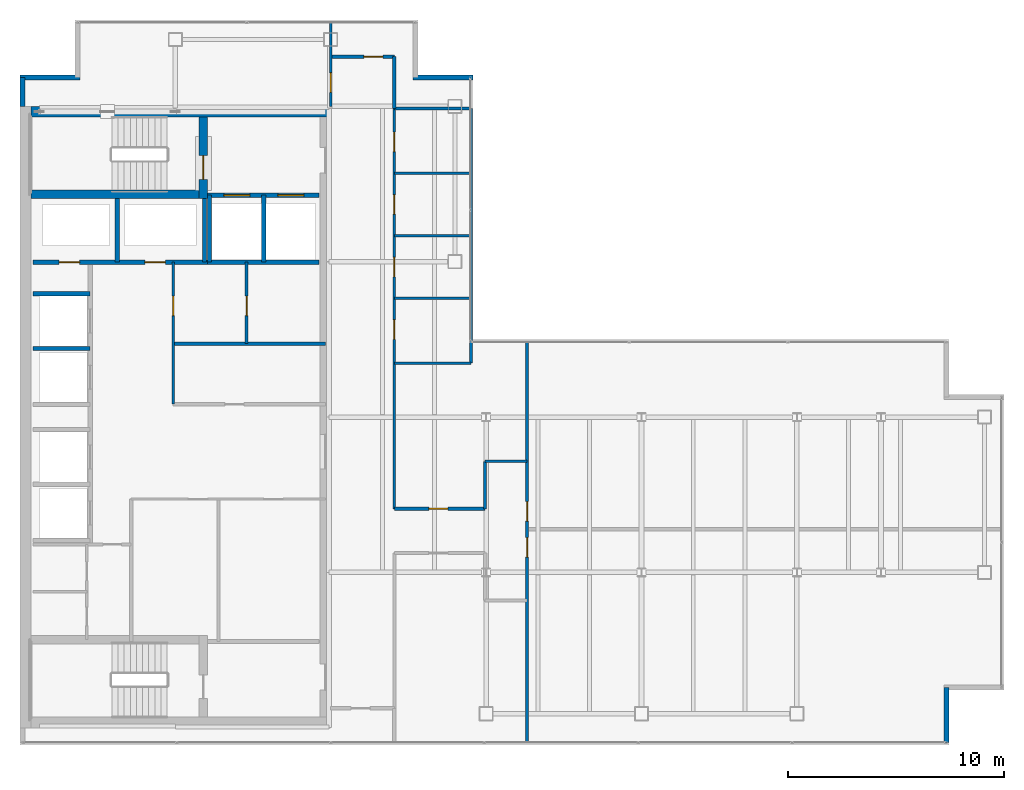
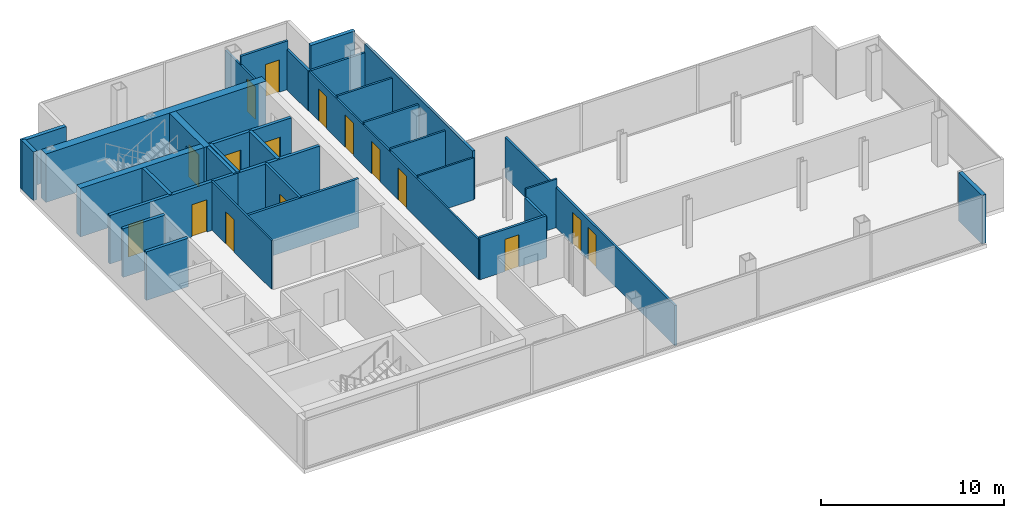
# One storey, part 21 of 23: 33 walls, 16 doors, 16 openings.
"""IFC4 building model written with IfcOpenShell, lengths in metres."""

from ifc_helpers import new_model, si_unit, direction, frame, frame_2d, origin, place, context, subcontext, project, spatial, rectangle, extrude, material, layer, layer_set, type_object, element, fill, save


model = new_model("IFC4")

# Units and contexts
model_context = context("Model", 3, precision=1e-05, world=origin(), true_north=direction((0.0, 1.0)))
body_context = subcontext(model_context, "Body", "Model", "MODEL_VIEW")
ifc_project = project(units=[si_unit("LENGTHUNIT", "METRE"), si_unit("AREAUNIT", "SQUARE_METRE"), si_unit("VOLUMEUNIT", "CUBIC_METRE"), si_unit("PLANEANGLEUNIT", "RADIAN"), si_unit("MASSUNIT", "GRAM", prefix="KILO")], contexts=[model_context])

# Site, building, storey
site_placement = place(None, origin())
site = spatial("IfcSite", under=ifc_project, at=site_placement, CompositionType="ELEMENT")
building_placement = place(site_placement, origin())
building = spatial("IfcBuilding", under=site, at=building_placement, Name="Cobrela Telecom Tower", CompositionType="ELEMENT")
storey_placement = place(building_placement, frame((0.0, 0.0, 255.14990234375)))
storey = spatial("IfcBuildingStorey", under=building, at=storey_placement, Name="L66", CompositionType="ELEMENT", Elevation=255.14990234375)

# Walls
ifc_material_1 = material(Name="Concrete C40/50", Category="concrete")
ifc_layer_1 = layer(ifc_material_1, 0.5)
ifc_layer_set_1 = layer_set([ifc_layer_1], Name="Concrete C40/50")
wall_type_1 = type_object("IfcWallType", Name="WALL-CORE-C40-500", PredefinedType="SHEAR", material=ifc_layer_set_1)
wall_1_placement = place(storey_placement, frame((0.5, 35.75, 0.0), z_axis=(0.0, 0.0, 1.0), x_axis=(1.0, 0.0, 0.0)))
element("IfcWall", 1, at=wall_1_placement, inside=storey, type_object=wall_type_1, Name="L66 North Core Shear Wall", PredefinedType="SHEAR", context=body_context, shape_type="SweptSolid", body=[
    extrude(rectangle(XDim=13.89990234375, YDim=0.5, at=frame_2d((6.949951171875, 0.0))), origin(), (0.0, 0.0, 1.0), 3.239990234375),
])
ifc_layer_2 = layer(ifc_material_1, 0.239990234375)
ifc_layer_set_2 = layer_set([ifc_layer_2], Name="Concrete C40/50")
wall_type_2 = type_object("IfcWallType", Name="WALL-EXT-300", PredefinedType="STANDARD", material=ifc_layer_set_2)
wall_2_placement = place(storey_placement, frame((0.1201171875, 36.0, 0.0), z_axis=(0.0, 0.0, 1.0), x_axis=(0.0, 1.0, 0.0)))
element("IfcWall", 2, at=wall_2_placement, inside=storey, type_object=wall_type_2, Name="L66 Insulated Facade Wall 02", PredefinedType="STANDARD", context=body_context, shape_type="SweptSolid", body=[
    extrude(rectangle(XDim=1.330078125, YDim=0.239990234375, at=frame_2d((0.6650390625, 0.0))), origin(), (0.0, 0.0, 1.0), 3.239990234375),
])
for number, where, z_axis, x_axis, name in (
    (3, (0.0, 37.330078125, 0.0), (0.0, 0.0, 1.0), (1.0, 0.0, 0.0), "L66 Insulated Facade Wall 03"),
    (4, (18.2099609375, 37.330078125, 0.0), (0.0, 0.0, 1.0), (1.0, 0.0, 0.0), "L66 Insulated Facade Wall 07"),
):
    element("IfcWall", number, at=place(storey_placement, frame(where, z_axis=z_axis, x_axis=x_axis)), inside=storey, type_object=wall_type_2, Name=name, PredefinedType="STANDARD", context=body_context, shape_type="SweptSolid", body=[
        extrude(rectangle(XDim=2.7900390625, YDim=0.239990234375, at=frame_2d((1.39501953125, 0.0))), origin(), (0.0, 0.0, 1.0), 3.239990234375),
    ])
wall_3_placement = place(storey_placement, frame((42.929931640625, 9.070068359375, 0.0), z_axis=(0.0, 0.0, 1.0), x_axis=(0.0, -1.0, 0.0)))
element("IfcWall", 5, at=wall_3_placement, inside=storey, type_object=wall_type_2, Name="L66 Insulated Facade Wall 14", PredefinedType="STANDARD", context=body_context, shape_type="SweptSolid", body=[
    extrude(rectangle(XDim=2.550048828125, YDim=0.239990234375, at=frame_2d((1.27490234375, 0.0))), origin(), (0.0, 0.0, 1.0), 3.239990234375),
])

# Wall, opening, door
ifc_material_2 = material(Name="Fire-Rated Gypsum Plasterboard")
ifc_layer_3 = layer(ifc_material_2, 0.110107421875)
ifc_layer_set_3 = layer_set([ifc_layer_3], Name="Fire-Rated Gypsum Plasterboard")
wall_type_3 = type_object("IfcWallType", Name="WALL-PART-110", PredefinedType="PARTITIONING", material=ifc_layer_set_3)
wall_4_placement = place(storey_placement, frame((7.10009765625, 22.199951171875, 0.0), z_axis=(0.0, 0.0, 1.0), x_axis=(0.0, 1.0, 0.0)))
wall_4 = element("IfcWall", 6, at=wall_4_placement, inside=storey, type_object=wall_type_3, Name="L66 Interior Partition CW-RECL-W", PredefinedType="PARTITIONING", context=body_context, shape_type="SweptSolid", body=[
    extrude(rectangle(XDim=6.580078125, YDim=0.110107421875, at=frame_2d((3.2900390625, 0.0))), origin(), (0.0, 0.0, 1.0), 3.239990234375),
])
opening_1_placement = place(wall_4_placement, frame((4.10009765625, 0.0, 0.0)))
opening_1 = element("IfcOpeningElement", 7, at=opening_1_placement, cuts=wall_4, Name="Opening DR-41", PredefinedType="OPENING", context=body_context, shape_type="SweptSolid", body=[
    extrude(rectangle(XDim=0.89990234375, YDim=2.14990234375, at=frame_2d((0.449951171875, 1.074951171875))), frame((0.0, 0.06689453125, 0.0), z_axis=(0.0, -1.0, 0.0), x_axis=(1.0, 0.0, 0.0)), (0.0, 0.0, 1.0), 0.134033203125),
])
ifc_material_3 = material(Name="Solid Engineered Oak Timber", Category="wood")
door_type_1 = type_object("IfcDoorType", Name="DOOR-INT-900", OperationType="SINGLE_SWING_LEFT", PredefinedType="DOOR", material=ifc_material_3)
door_1_placement = place(opening_1_placement, origin())
door_1 = element("IfcDoor", 8, at=door_1_placement, inside=storey, type_object=door_type_1, Name="L66 Door DR-41", OperationType="SINGLE_SWING_RIGHT", OverallHeight=2.14990234375, OverallWidth=0.89990234375, PredefinedType="DOOR", context=body_context, shape_type="SweptSolid", body=[
    extrude(rectangle(XDim=0.89990234375, YDim=2.14990234375, at=frame_2d((0.449951171875, 1.074951171875))), frame((0.0, 0.02490234375, 0.0), z_axis=(0.0, -1.0, 0.0), x_axis=(1.0, 0.0, 0.0)), (0.0, 0.0, 1.0), 0.050048828125),
])
fill(opening_1, door_1)

# Wall, openings, doors
wall_5_placement = place(storey_placement, frame((17.35009765625, 17.35009765625, 0.0), z_axis=(0.0, 0.0, 1.0), x_axis=(0.0, 1.0, 0.0)))
wall_5 = element("IfcWall", 9, at=wall_5_placement, inside=storey, type_object=wall_type_3, Name="L66 Interior Partition W-C-E2", PredefinedType="PARTITIONING", context=body_context, shape_type="SweptSolid", body=[
    extrude(rectangle(XDim=18.5498046875, YDim=0.110107421875, at=frame_2d((9.27490234375, 0.0))), origin(), (0.0, 0.0, 1.0), 2.676025390625),
])
opening_2_placement = place(wall_5_placement, frame((7.85009765625, 0.0, 0.0)))
opening_2 = element("IfcOpeningElement", 10, at=opening_2_placement, cuts=wall_5, Name="Opening DR-41", PredefinedType="OPENING", context=body_context, shape_type="SweptSolid", body=[
    extrude(rectangle(XDim=0.89990234375, YDim=2.14990234375, at=frame_2d((0.449951171875, 1.074951171875))), frame((0.0, 0.06689453125, 0.0), z_axis=(0.0, -1.0, 0.0), x_axis=(1.0, 0.0, 0.0)), (0.0, 0.0, 1.0), 0.134033203125),
])
opening_3_placement = place(wall_5_placement, frame((10.75, 0.0, 0.0)))
opening_3 = element("IfcOpeningElement", 11, at=opening_3_placement, cuts=wall_5, Name="Opening DR-41", PredefinedType="OPENING", context=body_context, shape_type="SweptSolid", body=[
    extrude(rectangle(XDim=0.89990234375, YDim=2.14990234375, at=frame_2d((0.449951171875, 1.074951171875))), frame((0.0, 0.06689453125, 0.0), z_axis=(0.0, -1.0, 0.0), x_axis=(1.0, 0.0, 0.0)), (0.0, 0.0, 1.0), 0.134033203125),
])
opening_4_placement = place(wall_5_placement, frame((13.64990234375, 0.0, 0.0)))
opening_4 = element("IfcOpeningElement", 12, at=opening_4_placement, cuts=wall_5, Name="Opening DR-41", PredefinedType="OPENING", context=body_context, shape_type="SweptSolid", body=[
    extrude(rectangle(XDim=0.89990234375, YDim=2.14990234375, at=frame_2d((0.449951171875, 1.074951171875))), frame((0.0, 0.06689453125, 0.0), z_axis=(0.0, -1.0, 0.0), x_axis=(1.0, 0.0, 0.0)), (0.0, 0.0, 1.0), 0.134033203125),
])
opening_5_placement = place(wall_5_placement, frame((16.550048828125, 0.0, 0.0)))
opening_5 = element("IfcOpeningElement", 13, at=opening_5_placement, cuts=wall_5, Name="Opening DR-41", PredefinedType="OPENING", context=body_context, shape_type="SweptSolid", body=[
    extrude(rectangle(XDim=0.89990234375, YDim=2.14990234375, at=frame_2d((0.449951171875, 1.074951171875))), frame((0.0, 0.06689453125, 0.0), z_axis=(0.0, -1.0, 0.0), x_axis=(1.0, 0.0, 0.0)), (0.0, 0.0, 1.0), 0.134033203125),
])
door_2_placement = place(opening_2_placement, origin())
door_2 = element("IfcDoor", 14, at=door_2_placement, inside=storey, type_object=door_type_1, Name="L66 Door DR-41", OperationType="SINGLE_SWING_LEFT", OverallHeight=2.14990234375, OverallWidth=0.89990234375, PredefinedType="DOOR", context=body_context, shape_type="SweptSolid", body=[
    extrude(rectangle(XDim=0.89990234375, YDim=2.14990234375, at=frame_2d((0.449951171875, 1.074951171875))), frame((0.0, 0.02490234375, 0.0), z_axis=(0.0, -1.0, 0.0), x_axis=(1.0, 0.0, 0.0)), (0.0, 0.0, 1.0), 0.050048828125),
])
fill(opening_2, door_2)
door_3_placement = place(opening_3_placement, origin())
door_3 = element("IfcDoor", 15, at=door_3_placement, inside=storey, type_object=door_type_1, Name="L66 Door DR-41", OperationType="SINGLE_SWING_RIGHT", OverallHeight=2.14990234375, OverallWidth=0.89990234375, PredefinedType="DOOR", context=body_context, shape_type="SweptSolid", body=[
    extrude(rectangle(XDim=0.89990234375, YDim=2.14990234375, at=frame_2d((0.449951171875, 1.074951171875))), frame((0.0, 0.02490234375, 0.0), z_axis=(0.0, -1.0, 0.0), x_axis=(1.0, 0.0, 0.0)), (0.0, 0.0, 1.0), 0.050048828125),
])
fill(opening_3, door_3)
door_4_placement = place(opening_4_placement, origin())
door_4 = element("IfcDoor", 16, at=door_4_placement, inside=storey, type_object=door_type_1, Name="L66 Door DR-41", OperationType="SINGLE_SWING_LEFT", OverallHeight=2.14990234375, OverallWidth=0.89990234375, PredefinedType="DOOR", context=body_context, shape_type="SweptSolid", body=[
    extrude(rectangle(XDim=0.89990234375, YDim=2.14990234375, at=frame_2d((0.449951171875, 1.074951171875))), frame((0.0, 0.02490234375, 0.0), z_axis=(0.0, -1.0, 0.0), x_axis=(1.0, 0.0, 0.0)), (0.0, 0.0, 1.0), 0.050048828125),
])
fill(opening_4, door_4)
door_5_placement = place(opening_5_placement, origin())
door_5 = element("IfcDoor", 17, at=door_5_placement, inside=storey, type_object=door_type_1, Name="L66 Door DR-41", OperationType="SINGLE_SWING_RIGHT", OverallHeight=2.14990234375, OverallWidth=0.89990234375, PredefinedType="DOOR", context=body_context, shape_type="SweptSolid", body=[
    extrude(rectangle(XDim=0.89990234375, YDim=2.14990234375, at=frame_2d((0.449951171875, 1.074951171875))), frame((0.0, 0.02490234375, 0.0), z_axis=(0.0, -1.0, 0.0), x_axis=(1.0, 0.0, 0.0)), (0.0, 0.0, 1.0), 0.050048828125),
])
fill(opening_5, door_5)

# Wall
wall_6_placement = place(storey_placement, frame((21.550048828125, 19.550048828125, 0.0), z_axis=(0.0, 0.0, 1.0), x_axis=(1.0, 0.0, 0.0)))
element("IfcWall", 18, at=wall_6_placement, inside=storey, type_object=wall_type_3, Name="L66 Interior Partition W-CT-N", PredefinedType="PARTITIONING", context=body_context, shape_type="SweptSolid", body=[
    extrude(rectangle(XDim=1.949951171875, YDim=0.110107421875, at=frame_2d((0.97509765625, 0.0))), origin(), (0.0, 0.0, 1.0), 3.239990234375),
])

# Wall, opening, door
wall_7_placement = place(storey_placement, frame((14.39990234375, 36.0, 0.0), z_axis=(0.0, 0.0, 1.0), x_axis=(0.0, 1.0, 0.0)))
wall_7 = element("IfcWall", 19, at=wall_7_placement, inside=storey, type_object=wall_type_3, Name="L66 Interior Partition W-CN-W", PredefinedType="PARTITIONING", context=body_context, shape_type="SweptSolid", body=[
    extrude(rectangle(XDim=3.8798828125, YDim=0.110107421875, at=frame_2d((1.93994140625, 0.0))), origin(), (0.0, 0.0, 1.0), 2.676025390625),
])
opening_6_placement = place(wall_7_placement, frame((0.64990234375, 0.0, 0.0)))
opening_6 = element("IfcOpeningElement", 20, at=opening_6_placement, cuts=wall_7, Name="Opening DR-41", PredefinedType="OPENING", context=body_context, shape_type="SweptSolid", body=[
    extrude(rectangle(XDim=0.89990234375, YDim=2.14990234375, at=frame_2d((0.449951171875, 1.074951171875))), frame((0.0, 0.06689453125, 0.0), z_axis=(0.0, -1.0, 0.0), x_axis=(1.0, 0.0, 0.0)), (0.0, 0.0, 1.0), 0.134033203125),
])
door_6_placement = place(opening_6_placement, origin())
door_6 = element("IfcDoor", 21, at=door_6_placement, inside=storey, type_object=door_type_1, Name="L66 Door DR-41", OperationType="SINGLE_SWING_LEFT", OverallHeight=2.14990234375, OverallWidth=0.89990234375, PredefinedType="DOOR", context=body_context, shape_type="SweptSolid", body=[
    extrude(rectangle(XDim=0.89990234375, YDim=2.14990234375, at=frame_2d((0.449951171875, 1.074951171875))), frame((0.0, 0.02490234375, 0.0), z_axis=(0.0, -1.0, 0.0), x_axis=(1.0, 0.0, 0.0)), (0.0, 0.0, 1.0), 0.050048828125),
])
fill(opening_6, door_6)

# Walls
wall_8_placement = place(storey_placement, frame((17.35009765625, 24.10009765625, 0.0), z_axis=(0.0, 0.0, 1.0), x_axis=(1.0, 0.0, 0.0)))
element("IfcWall", 22, at=wall_8_placement, inside=storey, type_object=wall_type_3, Name="L66 Interior Partition W-WC-S", PredefinedType="PARTITIONING", context=body_context, shape_type="SweptSolid", body=[
    extrude(rectangle(XDim=3.5498046875, YDim=0.110107421875, at=frame_2d((1.77490234375, 0.0))), origin(), (0.0, 0.0, 1.0), 2.80810546875),
])
ifc_layer_4 = layer(ifc_material_2, 0.125)
ifc_layer_set_4 = layer_set([ifc_layer_4], Name="Fire-Rated Gypsum Plasterboard")
wall_type_4 = type_object("IfcWallType", Name="WALL-PART-125", PredefinedType="PARTITIONING", material=ifc_layer_set_4)
for number, where, z_axis, x_axis, name in (
    (23, (17.35009765625, 27.10009765625, 0.0), (0.0, 0.0, 1.0), (1.0, 0.0, 0.0), "L66 Interior Partition W-WCD-1"),
    (24, (17.35009765625, 30.0, 0.0), (0.0, 0.0, 1.0), (1.0, 0.0, 0.0), "L66 Interior Partition W-WCD-2"),
    (25, (17.35009765625, 32.89990234375, 0.0), (0.0, 0.0, 1.0), (1.0, 0.0, 0.0), "L66 Interior Partition W-WCD-3"),
):
    element("IfcWall", number, at=place(storey_placement, frame(where, z_axis=z_axis, x_axis=x_axis)), inside=storey, type_object=wall_type_4, Name=name, PredefinedType="PARTITIONING", context=body_context, shape_type="SweptSolid", body=[
        extrude(rectangle(XDim=3.5498046875, YDim=0.125, at=frame_2d((1.77490234375, 0.0))), origin(), (0.0, 0.0, 1.0), 2.80810546875),
    ])

# Wall, opening, door
ifc_layer_5 = layer(ifc_material_2, 0.135009765625)
ifc_layer_set_5 = layer_set([ifc_layer_5], Name="Fire-Rated Gypsum Plasterboard")
wall_type_5 = type_object("IfcWallType", Name="WALL-PART-135", PredefinedType="PARTITIONING", material=ifc_layer_set_5)
wall_9_placement = place(storey_placement, frame((10.5, 25.0, 0.0), z_axis=(0.0, 0.0, 1.0), x_axis=(0.0, 1.0, 0.0)))
wall_9 = element("IfcWall", 26, at=wall_9_placement, inside=storey, type_object=wall_type_5, Name="L66 Interior Partition CW-RECL-VN", PredefinedType="PARTITIONING", context=body_context, shape_type="SweptSolid", body=[
    extrude(rectangle(XDim=3.780029296875, YDim=0.135009765625, at=frame_2d((1.89013671875, 0.0))), origin(), (0.0, 0.0, 1.0), 3.239990234375),
])
opening_7_placement = place(wall_9_placement, frame((1.300048828125, 0.0, 0.0)))
opening_7 = element("IfcOpeningElement", 27, at=opening_7_placement, cuts=wall_9, Name="Opening DR-41", PredefinedType="OPENING", context=body_context, shape_type="SweptSolid", body=[
    extrude(rectangle(XDim=0.89990234375, YDim=2.14990234375, at=frame_2d((0.449951171875, 1.074951171875))), frame((0.0, 0.07958984375, 0.0), z_axis=(0.0, -1.0, 0.0), x_axis=(1.0, 0.0, 0.0)), (0.0, 0.0, 1.0), 0.158935546875),
])
door_7_placement = place(opening_7_placement, origin())
door_7 = element("IfcDoor", 28, at=door_7_placement, inside=storey, type_object=door_type_1, Name="L66 Door DR-41", OperationType="SINGLE_SWING_LEFT", OverallHeight=2.14990234375, OverallWidth=0.89990234375, PredefinedType="DOOR", context=body_context, shape_type="SweptSolid", body=[
    extrude(rectangle(XDim=0.89990234375, YDim=2.14990234375, at=frame_2d((0.449951171875, 1.074951171875))), frame((0.0, 0.02490234375, 0.0), z_axis=(0.0, -1.0, 0.0), x_axis=(1.0, 0.0, 0.0)), (0.0, 0.0, 1.0), 0.050048828125),
])
fill(opening_7, door_7)

# Wall, openings, doors
wall_10_placement = place(storey_placement, frame((23.5, 6.52001953125, 0.0), z_axis=(0.0, 0.0, 1.0), x_axis=(0.0, 1.0, 0.0)))
wall_10 = element("IfcWall", 29, at=wall_10_placement, inside=storey, type_object=wall_type_5, Name="L66 Interior Partition W-C-END", PredefinedType="PARTITIONING", context=body_context, shape_type="SweptSolid", body=[
    extrude(rectangle(XDim=18.56005859375, YDim=0.135009765625, at=frame_2d((9.280029296875, 0.0))), origin(), (0.0, 0.0, 1.0), 2.676025390625),
])
opening_8_placement = place(wall_10_placement, frame((8.590087890625, 0.0, 0.0)))
opening_8 = element("IfcOpeningElement", 30, at=opening_8_placement, cuts=wall_10, Name="Opening DR-41", PredefinedType="OPENING", context=body_context, shape_type="SweptSolid", body=[
    extrude(rectangle(XDim=0.89990234375, YDim=2.14990234375, at=frame_2d((0.449951171875, 1.074951171875))), frame((0.0, 0.07958984375, 0.0), z_axis=(0.0, -1.0, 0.0), x_axis=(1.0, 0.0, 0.0)), (0.0, 0.0, 1.0), 0.158935546875),
])
opening_9_placement = place(wall_10_placement, frame((10.260009765625, 0.0, 0.0)))
opening_9 = element("IfcOpeningElement", 31, at=opening_9_placement, cuts=wall_10, Name="Opening DR-41", PredefinedType="OPENING", context=body_context, shape_type="SweptSolid", body=[
    extrude(rectangle(XDim=0.89990234375, YDim=2.14990234375, at=frame_2d((0.449951171875, 1.074951171875))), frame((0.0, 0.07958984375, 0.0), z_axis=(0.0, -1.0, 0.0), x_axis=(1.0, 0.0, 0.0)), (0.0, 0.0, 1.0), 0.158935546875),
])
door_8_placement = place(opening_8_placement, origin())
door_8 = element("IfcDoor", 32, at=door_8_placement, inside=storey, type_object=door_type_1, Name="L66 Door DR-41", OperationType="SINGLE_SWING_LEFT", OverallHeight=2.14990234375, OverallWidth=0.89990234375, PredefinedType="DOOR", context=body_context, shape_type="SweptSolid", body=[
    extrude(rectangle(XDim=0.89990234375, YDim=2.14990234375, at=frame_2d((0.449951171875, 1.074951171875))), frame((0.0, 0.02490234375, 0.0), z_axis=(0.0, -1.0, 0.0), x_axis=(1.0, 0.0, 0.0)), (0.0, 0.0, 1.0), 0.050048828125),
])
fill(opening_8, door_8)
door_9_placement = place(opening_9_placement, origin())
door_9 = element("IfcDoor", 33, at=door_9_placement, inside=storey, type_object=door_type_1, Name="L66 Door DR-41", OperationType="SINGLE_SWING_RIGHT", OverallHeight=2.14990234375, OverallWidth=0.89990234375, PredefinedType="DOOR", context=body_context, shape_type="SweptSolid", body=[
    extrude(rectangle(XDim=0.89990234375, YDim=2.14990234375, at=frame_2d((0.449951171875, 1.074951171875))), frame((0.0, 0.02490234375, 0.0), z_axis=(0.0, -1.0, 0.0), x_axis=(1.0, 0.0, 0.0)), (0.0, 0.0, 1.0), 0.050048828125),
])
fill(opening_9, door_9)

# Walls
wall_11_placement = place(storey_placement, frame((17.35009765625, 35.89990234375, 0.0), z_axis=(0.0, 0.0, 1.0), x_axis=(1.0, 0.0, 0.0)))
element("IfcWall", 34, at=wall_11_placement, inside=storey, type_object=wall_type_5, Name="L66 Interior Partition W-NW2-S", PredefinedType="PARTITIONING", context=body_context, shape_type="SweptSolid", body=[
    extrude(rectangle(XDim=3.52978515625, YDim=0.135009765625, at=frame_2d((1.764892578125, 0.0))), origin(), (0.0, 0.0, 1.0), 2.676025390625),
])
ifc_layer_6 = layer(ifc_material_2, 0.14990234375)
ifc_layer_set_6 = layer_set([ifc_layer_6], Name="Fire-Rated Gypsum Plasterboard")
wall_type_6 = type_object("IfcWallType", Name="WALL-PART-150", PredefinedType="PARTITIONING", material=ifc_layer_set_6)
wall_12_placement = place(storey_placement, frame((7.10009765625, 25.0, 0.0), z_axis=(0.0, 0.0, 1.0), x_axis=(1.0, 0.0, 0.0)))
element("IfcWall", 35, at=wall_12_placement, inside=storey, type_object=wall_type_6, Name="L66 Interior Partition CW-RECL-H", PredefinedType="PARTITIONING", context=body_context, shape_type="SweptSolid", body=[
    extrude(rectangle(XDim=7.0498046875, YDim=0.14990234375, at=frame_2d((3.52490234375, 0.0))), origin(), (0.0, 0.0, 1.0), 3.239990234375),
])

# Wall, opening, door
wall_13_placement = place(storey_placement, frame((17.35009765625, 17.35009765625, 0.0), z_axis=(0.0, 0.0, 1.0), x_axis=(1.0, 0.0, 0.0)))
wall_13 = element("IfcWall", 36, at=wall_13_placement, inside=storey, type_object=wall_type_6, Name="L66 Interior Partition W-C-HN", PredefinedType="PARTITIONING", context=body_context, shape_type="SweptSolid", body=[
    extrude(rectangle(XDim=4.199951171875, YDim=0.14990234375, at=frame_2d((2.10009765625, 0.0))), origin(), (0.0, 0.0, 1.0), 2.80810546875),
])
opening_10_placement = place(wall_13_placement, frame((1.60009765625, 0.0, 0.0)))
opening_10 = element("IfcOpeningElement", 37, at=opening_10_placement, cuts=wall_13, Name="Opening DR-39", PredefinedType="OPENING", context=body_context, shape_type="SweptSolid", body=[
    extrude(rectangle(XDim=0.8798828125, YDim=2.14990234375, at=frame_2d((0.43994140625, 1.074951171875))), frame((0.0, 0.0869140625, 0.0), z_axis=(0.0, -1.0, 0.0), x_axis=(1.0, 0.0, 0.0)), (0.0, 0.0, 1.0), 0.173828125),
])
door_type_2 = type_object("IfcDoorType", Name="DOOR-INT-880", OperationType="SINGLE_SWING_LEFT", PredefinedType="DOOR", material=ifc_material_3)
door_10_placement = place(opening_10_placement, origin())
door_10 = element("IfcDoor", 38, at=door_10_placement, inside=storey, type_object=door_type_2, Name="L66 Door DR-39", OperationType="SINGLE_SWING_LEFT", OverallHeight=2.14990234375, OverallWidth=0.8798828125, PredefinedType="DOOR", context=body_context, shape_type="SweptSolid", body=[
    extrude(rectangle(XDim=0.8798828125, YDim=2.14990234375, at=frame_2d((0.43994140625, 1.074951171875))), frame((0.0, 0.02490234375, 0.0), z_axis=(0.0, -1.0, 0.0), x_axis=(1.0, 0.0, 0.0)), (0.0, 0.0, 1.0), 0.050048828125),
])
fill(opening_10, door_10)

# Wall
wall_14_placement = place(storey_placement, frame((21.550048828125, 17.35009765625, 0.0), z_axis=(0.0, 0.0, 1.0), x_axis=(0.0, 1.0, 0.0)))
element("IfcWall", 39, at=wall_14_placement, inside=storey, type_object=wall_type_6, Name="L66 Interior Partition W-CT-JW2", PredefinedType="PARTITIONING", context=body_context, shape_type="SweptSolid", body=[
    extrude(rectangle(XDim=2.199951171875, YDim=0.14990234375, at=frame_2d((1.10009765625, 0.0))), origin(), (0.0, 0.0, 1.0), 2.676025390625),
])

# Wall, opening, door
wall_15_placement = place(storey_placement, frame((14.39990234375, 38.300048828125, 0.0), z_axis=(0.0, 0.0, 1.0), x_axis=(1.0, 0.0, 0.0)))
wall_15 = element("IfcWall", 40, at=wall_15_placement, inside=storey, type_object=wall_type_6, Name="L66 Interior Partition W-CN-T", PredefinedType="PARTITIONING", context=body_context, shape_type="SweptSolid", body=[
    extrude(rectangle(XDim=2.9501953125, YDim=0.14990234375, at=frame_2d((1.47509765625, 0.0))), origin(), (0.0, 0.0, 1.0), 3.239990234375),
])
opening_11_placement = place(wall_15_placement, frame((1.5400390625, 0.0, 0.0)))
opening_11 = element("IfcOpeningElement", 41, at=opening_11_placement, cuts=wall_15, Name="Opening DR-39", PredefinedType="OPENING", context=body_context, shape_type="SweptSolid", body=[
    extrude(rectangle(XDim=0.8798828125, YDim=2.14990234375, at=frame_2d((0.43994140625, 1.074951171875))), frame((0.0, 0.0869140625, 0.0), z_axis=(0.0, -1.0, 0.0), x_axis=(1.0, 0.0, 0.0)), (0.0, 0.0, 1.0), 0.173828125),
])
door_11_placement = place(opening_11_placement, origin())
door_11 = element("IfcDoor", 42, at=door_11_placement, inside=storey, type_object=door_type_2, Name="L66 Door DR-39", OperationType="SINGLE_SWING_RIGHT", OverallHeight=2.14990234375, OverallWidth=0.8798828125, PredefinedType="DOOR", context=body_context, shape_type="SweptSolid", body=[
    extrude(rectangle(XDim=0.8798828125, YDim=2.14990234375, at=frame_2d((0.43994140625, 1.074951171875))), frame((0.0, 0.02490234375, 0.0), z_axis=(0.0, -1.0, 0.0), x_axis=(1.0, 0.0, 0.0)), (0.0, 0.0, 1.0), 0.050048828125),
])
fill(opening_11, door_11)

# Walls
ifc_layer_7 = layer(ifc_material_2, 0.159912109375)
ifc_layer_set_7 = layer_set([ifc_layer_7], Name="Fire-Rated Gypsum Plasterboard")
wall_type_7 = type_object("IfcWallType", Name="WALL-PART-160", PredefinedType="PARTITIONING", material=ifc_layer_set_7)
wall_16_placement = place(storey_placement, frame((17.35009765625, 35.89990234375, 0.0), z_axis=(0.0, 0.0, 1.0), x_axis=(0.0, 1.0, 0.0)))
element("IfcWall", 43, at=wall_16_placement, inside=storey, type_object=wall_type_7, Name="L66 Interior Partition W-CN-E", PredefinedType="PARTITIONING", context=body_context, shape_type="SweptSolid", body=[
    extrude(rectangle(XDim=2.400146484375, YDim=0.159912109375, at=frame_2d((1.2001953125, 0.0))), origin(), (0.0, 0.0, 1.0), 2.676025390625),
])
wall_17_placement = place(storey_placement, frame((20.89990234375, 24.10009765625, 0.0), z_axis=(0.0, 0.0, 1.0), x_axis=(0.0, 1.0, 0.0)))
element("IfcWall", 44, at=wall_17_placement, inside=storey, type_object=wall_type_7, Name="L66 Interior Partition W-WC-E", PredefinedType="PARTITIONING", context=body_context, shape_type="SweptSolid", body=[
    extrude(rectangle(XDim=11.7998046875, YDim=0.159912109375, at=frame_2d((5.89990234375, 0.0))), origin(), (0.0, 0.0, 1.0), 3.239990234375),
])

# Wall, openings, doors
ifc_layer_8 = layer(ifc_material_2, 0.199951171875)
ifc_layer_set_8 = layer_set([ifc_layer_8], Name="Fire-Rated Gypsum Plasterboard")
wall_type_8 = type_object("IfcWallType", Name="WALL-SHAFT-200", PredefinedType="PARTITIONING", material=ifc_layer_set_8)
wall_18_placement = place(storey_placement, frame((8.699951171875, 31.8798828125, 0.0), z_axis=(0.0, 0.0, 1.0), x_axis=(1.0, 0.0, 0.0)))
wall_18 = element("IfcWall", 45, at=wall_18_placement, inside=storey, type_object=wall_type_8, Name="L66 Shaft Enclosure CW-FFL-S", PredefinedType="PARTITIONING", context=body_context, shape_type="SweptSolid", body=[
    extrude(rectangle(XDim=5.150146484375, YDim=0.199951171875, at=frame_2d((2.5751953125, 0.0))), origin(), (0.0, 0.0, 1.0), 3.239990234375),
])
opening_12_placement = place(wall_18_placement, frame((0.75, 0.0, 0.0)))
opening_12 = element("IfcOpeningElement", 46, at=opening_12_placement, cuts=wall_18, Name="Opening LD-2", PredefinedType="OPENING", context=body_context, shape_type="SweptSolid", body=[
    extrude(rectangle(XDim=1.199951171875, YDim=2.199951171875, at=frame_2d((0.60009765625, 1.10009765625))), frame((0.0, 0.11181640625, 0.0), z_axis=(0.0, -1.0, 0.0), x_axis=(1.0, 0.0, 0.0)), (0.0, 0.0, 1.0), 0.223876953125),
])
opening_13_placement = place(wall_18_placement, frame((3.25, 0.0, 0.0)))
opening_13 = element("IfcOpeningElement", 47, at=opening_13_placement, cuts=wall_18, Name="Opening LD-2", PredefinedType="OPENING", context=body_context, shape_type="SweptSolid", body=[
    extrude(rectangle(XDim=1.199951171875, YDim=2.199951171875, at=frame_2d((0.60009765625, 1.10009765625))), frame((0.0, 0.11181640625, 0.0), z_axis=(0.0, -1.0, 0.0), x_axis=(1.0, 0.0, 0.0)), (0.0, 0.0, 1.0), 0.223876953125),
])
ifc_material_4 = material(Name="Steel ASTM A36", Category="steel")
door_type_3 = type_object("IfcDoorType", Name="DOOR-LD-FFL", OperationType="SINGLE_SWING_LEFT", PredefinedType="DOOR", material=ifc_material_4)
door_12_placement = place(opening_12_placement, origin())
door_12 = element("IfcDoor", 48, at=door_12_placement, inside=storey, type_object=door_type_3, Name="L66 Lift Landing Door LD-2", OperationType="DOUBLE_DOOR_SLIDING", OverallHeight=2.199951171875, OverallWidth=1.199951171875, PredefinedType="DOOR", context=body_context, shape_type="SweptSolid", body=[
    extrude(rectangle(XDim=1.199951171875, YDim=2.199951171875, at=frame_2d((0.60009765625, 1.10009765625))), frame((0.0, 0.02490234375, 0.0), z_axis=(0.0, -1.0, 0.0), x_axis=(1.0, 0.0, 0.0)), (0.0, 0.0, 1.0), 0.050048828125),
])
fill(opening_12, door_12)
door_13_placement = place(opening_13_placement, origin())
door_13 = element("IfcDoor", 49, at=door_13_placement, inside=storey, type_object=door_type_3, Name="L66 Lift Landing Door LD-2", OperationType="DOUBLE_DOOR_SLIDING", OverallHeight=2.199951171875, OverallWidth=1.199951171875, PredefinedType="DOOR", context=body_context, shape_type="SweptSolid", body=[
    extrude(rectangle(XDim=1.199951171875, YDim=2.199951171875, at=frame_2d((0.60009765625, 1.10009765625))), frame((0.0, 0.02490234375, 0.0), z_axis=(0.0, -1.0, 0.0), x_axis=(1.0, 0.0, 0.0)), (0.0, 0.0, 1.0), 0.050048828125),
])
fill(opening_13, door_13)

# Walls
wall_19_placement = place(storey_placement, frame((8.699951171875, 28.780029296875, 0.0), z_axis=(0.0, 0.0, 1.0), x_axis=(1.0, 0.0, 0.0)))
element("IfcWall", 50, at=wall_19_placement, inside=storey, type_object=wall_type_8, Name="L66 Shaft Enclosure CW-FFL-S2", PredefinedType="PARTITIONING", context=body_context, shape_type="SweptSolid", body=[
    extrude(rectangle(XDim=5.150146484375, YDim=0.199951171875, at=frame_2d((2.5751953125, 0.0))), origin(), (0.0, 0.0, 1.0), 3.239990234375),
])
for number, where, z_axis, x_axis, name in (
    (51, (8.780029296875, 28.780029296875, 0.0), (0.0, 0.0, 1.0), (0.0, 1.0, 0.0), "L66 Shaft Enclosure CW-FFL-W"),
    (52, (11.300048828125, 28.780029296875, 0.0), (0.0, 0.0, 1.0), (0.0, 1.0, 0.0), "L66 Shaft Enclosure CW-FFL-M"),
):
    element("IfcWall", number, at=place(storey_placement, frame(where, z_axis=z_axis, x_axis=x_axis)), inside=storey, type_object=wall_type_8, Name=name, PredefinedType="PARTITIONING", context=body_context, shape_type="SweptSolid", body=[
        extrude(rectangle(XDim=3.099853515625, YDim=0.199951171875, at=frame_2d((1.5498046875, 0.0))), origin(), (0.0, 0.0, 1.0), 3.239990234375),
    ])

# Wall, openings, doors
wall_20_placement = place(storey_placement, frame((0.60009765625, 28.780029296875, 0.0), z_axis=(0.0, 0.0, 1.0), x_axis=(1.0, 0.0, 0.0)))
wall_20 = element("IfcWall", 53, at=wall_20_placement, inside=storey, type_object=wall_type_8, Name="L66 Shaft Enclosure CW-RIS-S", PredefinedType="PARTITIONING", context=body_context, shape_type="SweptSolid", body=[
    extrude(rectangle(XDim=8.179931640625, YDim=0.199951171875, at=frame_2d((4.08984375, 0.0))), origin(), (0.0, 0.0, 1.0), 3.239990234375),
])
opening_14_placement = place(wall_20_placement, frame((1.2099609375, 0.0, 0.0)))
opening_14 = element("IfcOpeningElement", 54, at=opening_14_placement, cuts=wall_20, Name="Opening DR-65", PredefinedType="OPENING", context=body_context, shape_type="SweptSolid", body=[
    extrude(rectangle(XDim=0.949951171875, YDim=2.14990234375, at=frame_2d((0.47509765625, 1.074951171875))), frame((0.0, 0.11181640625, 0.0), z_axis=(0.0, -1.0, 0.0), x_axis=(1.0, 0.0, 0.0)), (0.0, 0.0, 1.0), 0.223876953125),
])
opening_15_placement = place(wall_20_placement, frame((5.18994140625, 0.0, 0.0)))
opening_15 = element("IfcOpeningElement", 55, at=opening_15_placement, cuts=wall_20, Name="Opening DR-65", PredefinedType="OPENING", context=body_context, shape_type="SweptSolid", body=[
    extrude(rectangle(XDim=0.949951171875, YDim=2.14990234375, at=frame_2d((0.47509765625, 1.074951171875))), frame((0.0, 0.11181640625, 0.0), z_axis=(0.0, -1.0, 0.0), x_axis=(1.0, 0.0, 0.0)), (0.0, 0.0, 1.0), 0.223876953125),
])
door_type_4 = type_object("IfcDoorType", Name="DOOR-FD60-950", OperationType="SINGLE_SWING_LEFT", PredefinedType="DOOR", material=ifc_material_4)
door_14_placement = place(opening_14_placement, origin())
door_14 = element("IfcDoor", 56, at=door_14_placement, inside=storey, type_object=door_type_4, Name="L66 Door DR-65", OperationType="SINGLE_SWING_LEFT", OverallHeight=2.14990234375, OverallWidth=0.949951171875, PredefinedType="DOOR", context=body_context, shape_type="SweptSolid", body=[
    extrude(rectangle(XDim=0.949951171875, YDim=2.14990234375, at=frame_2d((0.47509765625, 1.074951171875))), frame((0.0, 0.02490234375, 0.0), z_axis=(0.0, -1.0, 0.0), x_axis=(1.0, 0.0, 0.0)), (0.0, 0.0, 1.0), 0.050048828125),
])
fill(opening_14, door_14)
door_15_placement = place(opening_15_placement, origin())
door_15 = element("IfcDoor", 57, at=door_15_placement, inside=storey, type_object=door_type_4, Name="L66 Door DR-65", OperationType="SINGLE_SWING_RIGHT", OverallHeight=2.14990234375, OverallWidth=0.949951171875, PredefinedType="DOOR", context=body_context, shape_type="SweptSolid", body=[
    extrude(rectangle(XDim=0.949951171875, YDim=2.14990234375, at=frame_2d((0.47509765625, 1.074951171875))), frame((0.0, 0.02490234375, 0.0), z_axis=(0.0, -1.0, 0.0), x_axis=(1.0, 0.0, 0.0)), (0.0, 0.0, 1.0), 0.050048828125),
])
fill(opening_15, door_15)

# Walls
for number, where, z_axis, x_axis, name in (
    (58, (4.5, 28.780029296875, 0.0), (0.0, 0.0, 1.0), (0.0, 1.0, 0.0), "L66 Shaft Enclosure CW-RIS-M"),
    (59, (8.550048828125, 28.780029296875, 0.0), (0.0, 0.0, 1.0), (0.0, 1.0, 0.0), "L66 Shaft Enclosure CW-RIS-E"),
):
    element("IfcWall", number, at=place(storey_placement, frame(where, z_axis=z_axis, x_axis=x_axis)), inside=storey, type_object=wall_type_8, Name=name, PredefinedType="PARTITIONING", context=body_context, shape_type="SweptSolid", body=[
        extrude(rectangle(XDim=2.93994140625, YDim=0.199951171875, at=frame_2d((1.469970703125, 0.0))), origin(), (0.0, 0.0, 1.0), 3.239990234375),
    ])
for number, where, z_axis, x_axis, name in (
    (60, (0.60009765625, 24.780029296875, 0.0), (0.0, 0.0, 1.0), (1.0, 0.0, 0.0), "L66 Shaft Enclosure CW-PLH-D12"),
    (61, (0.60009765625, 27.320068359375, 0.0), (0.0, 0.0, 1.0), (1.0, 0.0, 0.0), "L66 Shaft Enclosure CW-PLH-TOP"),
):
    element("IfcWall", number, at=place(storey_placement, frame(where, z_axis=z_axis, x_axis=x_axis)), inside=storey, type_object=wall_type_8, Name=name, PredefinedType="PARTITIONING", context=body_context, shape_type="SweptSolid", body=[
        extrude(rectangle(XDim=2.64990234375, YDim=0.199951171875, at=frame_2d((1.324951171875, 0.0))), origin(), (0.0, 0.0, 1.0), 3.239990234375),
    ])
ifc_layer_9 = layer(ifc_material_1, 0.39990234375)
ifc_layer_set_9 = layer_set([ifc_layer_9], Name="Concrete C40/50")
wall_type_9 = type_object("IfcWallType", Name="WALL-SHAFT-C40-400", PredefinedType="SHEAR", material=ifc_layer_set_9)
wall_21_placement = place(storey_placement, frame((0.5, 31.919921875, 0.0), z_axis=(0.0, 0.0, 1.0), x_axis=(1.0, 0.0, 0.0)))
element("IfcWall", 62, at=wall_21_placement, inside=storey, type_object=wall_type_9, Name="L66 North Stair Shear Wall", PredefinedType="SHEAR", context=body_context, shape_type="SweptSolid", body=[
    extrude(rectangle(XDim=7.800048828125, YDim=0.39990234375, at=frame_2d((3.89990234375, 0.0))), origin(), (0.0, 0.0, 1.0), 3.239990234375),
])

# Wall, opening, door
wall_22_placement = place(storey_placement, frame((8.5, 31.719970703125, 0.0), z_axis=(0.0, 0.0, 1.0), x_axis=(0.0, 1.0, 0.0)))
wall_22 = element("IfcWall", 63, at=wall_22_placement, inside=storey, type_object=wall_type_9, Name="L66 North Stair Lobby Shear Wall", PredefinedType="SHEAR", context=body_context, shape_type="SweptSolid", body=[
    extrude(rectangle(XDim=3.780029296875, YDim=0.39990234375, at=frame_2d((1.89013671875, 0.0))), origin(), (0.0, 0.0, 1.0), 3.239990234375),
])
opening_16_placement = place(wall_22_placement, frame((0.89990234375, 0.0, 0.0)))
opening_16 = element("IfcOpeningElement", 64, at=opening_16_placement, cuts=wall_22, Name="Opening DR-59", PredefinedType="OPENING", context=body_context, shape_type="SweptSolid", body=[
    extrude(rectangle(XDim=1.10009765625, YDim=2.14990234375, at=frame_2d((0.550048828125, 1.074951171875))), frame((0.0, 0.2119140625, 0.0), z_axis=(0.0, -1.0, 0.0), x_axis=(1.0, 0.0, 0.0)), (0.0, 0.0, 1.0), 0.423828125),
])
door_type_5 = type_object("IfcDoorType", Name="DOOR-FD60-1100", OperationType="SINGLE_SWING_LEFT", PredefinedType="DOOR", material=ifc_material_4)
door_16_placement = place(opening_16_placement, origin())
door_16 = element("IfcDoor", 65, at=door_16_placement, inside=storey, type_object=door_type_5, Name="L66 Door DR-59", OperationType="SINGLE_SWING_RIGHT", OverallHeight=2.14990234375, OverallWidth=1.10009765625, PredefinedType="DOOR", context=body_context, shape_type="SweptSolid", body=[
    extrude(rectangle(XDim=1.10009765625, YDim=2.14990234375, at=frame_2d((0.550048828125, 1.074951171875))), frame((0.0, 0.02490234375, 0.0), z_axis=(0.0, -1.0, 0.0), x_axis=(1.0, 0.0, 0.0)), (0.0, 0.0, 1.0), 0.050048828125),
])
fill(opening_16, door_16)

save(model, "model.ifc")
